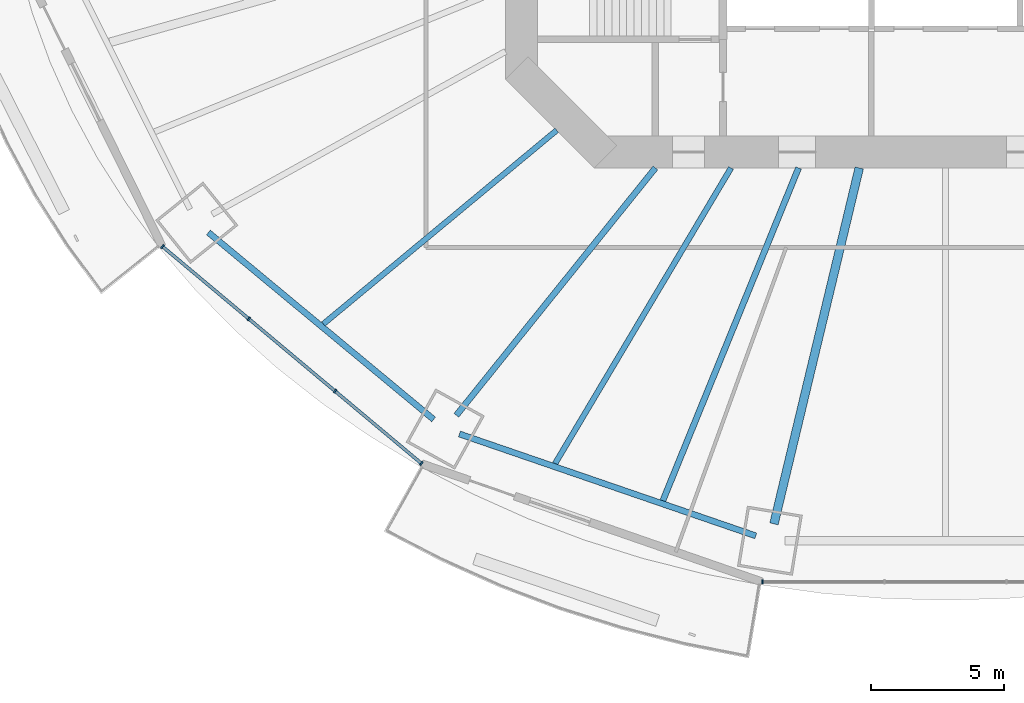
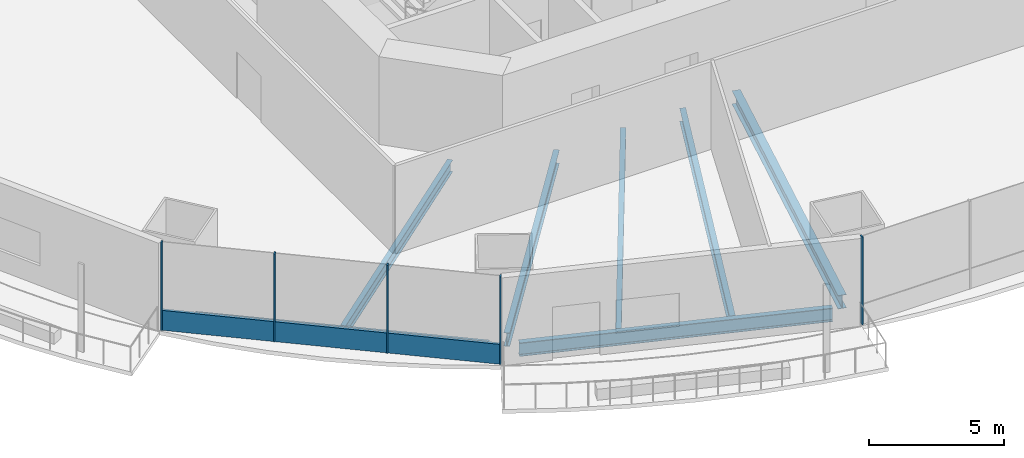
# One storey, part 2 of 22: 7 beams, 6 members, 2 elements without a shape of their own.
"""IFC4 building model written with IfcOpenShell, lengths in metres."""

import ifcopenshell
import ifcopenshell.guid

model = None  # the IFC model being written
_history = None  # IfcOwnerHistory: only IFC2X3 demands one
_inside = {}  # id of a spatial element -> (the spatial element, [elements in it])
_under = {}  # id of a project, library or spatial element -> (it, [spatial elements below it])
_declared = {}  # id of a project -> (the project, [libraries it declares])
_typed = {}  # id of a type object -> (the type object, [elements of that type])
_made_of = {}  # id of a material, layer set ... -> (it, [elements and type objects made of it])


def new_model(schema):
    """Start an empty IFC model of exactly this schema.

    Asked for "IFC4X3", IfcOpenShell would pick the latest addendum, in which some entities
    have other attributes; the version numbers below select the first issue.
    IFC2X3 requires an IfcOwnerHistory on every rooted entity: one is made here for all.
    """
    global model, _history
    if schema == "IFC4X3":
        model = ifcopenshell.file(schema_version=(4, 3, 0, 0))
    else:
        model = ifcopenshell.file(schema=schema)
    _inside.clear()
    _under.clear()
    _declared.clear()
    _typed.clear()
    _made_of.clear()
    _history = None
    if model.schema == "IFC2X3":
        org = make("IfcOrganization", Name="unknown")
        user = make(
            "IfcPersonAndOrganization",
            ThePerson=make("IfcPerson", FamilyName="unknown"),
            TheOrganization=org,
        )
        app = make(
            "IfcApplication",
            ApplicationDeveloper=org,
            Version="unknown",
            ApplicationFullName="unknown",
            ApplicationIdentifier="unknown",
        )
        _history = make(
            "IfcOwnerHistory",
            OwningUser=user,
            OwningApplication=app,
            ChangeAction="ADDED",
            CreationDate=0,
        )
    return model


def make(cls, **values):
    """One entity of the class cls with the attributes given. An attribute that is None is left unset."""
    return model.create_entity(
        cls, **{name: value for name, value in values.items() if value is not None}
    )


def rooted(cls, **values):
    """An entity with a GlobalId (a new one), such as an element, a storey or a relation."""
    return make(cls, GlobalId=ifcopenshell.guid.new(), OwnerHistory=_history, **values)


def si_unit(unit_type, name, prefix=None):
    """IfcSIUnit, for example si_unit("LENGTHUNIT", "METRE", prefix="MILLI")."""
    return make("IfcSIUnit", UnitType=unit_type, Prefix=prefix, Name=name)


def assignment(units):
    """IfcUnitAssignment: the units of a project."""
    return None if units is None else make("IfcUnitAssignment", Units=units)


def point(xyz):
    """IfcCartesianPoint."""
    return None if xyz is None else make("IfcCartesianPoint", Coordinates=xyz)


def direction(xyz):
    """IfcDirection."""
    return None if xyz is None else make("IfcDirection", DirectionRatios=xyz)


def frame(location, z_axis=None, x_axis=None):
    """IfcAxis2Placement3D, a coordinate frame: its origin and axes. An axis left out is left unset."""
    return make(
        "IfcAxis2Placement3D",
        Location=point(location),
        Axis=direction(z_axis),
        RefDirection=direction(x_axis),
    )


def frame_2d(location, x_axis=None):
    """IfcAxis2Placement2D, a coordinate frame in the plane: its origin and x axis."""
    return make(
        "IfcAxis2Placement2D", Location=point(location), RefDirection=direction(x_axis)
    )


def origin():
    """The frame at (0, 0, 0) with its axes left unset."""
    return frame((0.0, 0.0, 0.0))


def origin_2d():
    """The frame at (0, 0) in the plane with its x axis left unset."""
    return frame_2d((0.0, 0.0))


def place(relative_to, where):
    """IfcLocalPlacement: puts the frame where relative to a parent placement (None: the world)."""
    return make(
        "IfcLocalPlacement", PlacementRelTo=relative_to, RelativePlacement=where
    )


def context(
    kind, dimensions, precision=None, world=None, true_north=None, identifier=None
):
    """IfcGeometricRepresentationContext, for example the 3D "Model" context."""
    return make(
        "IfcGeometricRepresentationContext",
        ContextIdentifier=identifier,
        ContextType=kind,
        CoordinateSpaceDimension=dimensions,
        Precision=precision,
        WorldCoordinateSystem=world,
        TrueNorth=true_north,
    )


def subcontext(parent, identifier, kind, view, scale=None):
    """IfcGeometricRepresentationSubContext, for example "Body" below "Model"."""
    return make(
        "IfcGeometricRepresentationSubContext",
        ContextIdentifier=identifier,
        ContextType=kind,
        ParentContext=parent,
        TargetScale=scale,
        TargetView=view,
    )


def project(units=None, contexts=None):
    """IfcProject with its units and contexts."""
    return rooted(
        "IfcProject",
        Name="project",
        RepresentationContexts=contexts,
        UnitsInContext=assignment(units),
    )


def spatial(cls, under=None, at=None, **own):
    """A site, building, storey or space (cls), placed at a placement, below another one or the project."""
    s = rooted(cls, ObjectPlacement=at, **own)
    if under is not None:
        _under.setdefault(under.id(), (under, []))[1].append(s)
    return s


def profile(cls, at=None, kind="AREA", **sizes):
    """A parametric profile (cls). Its sizes go by their IFC names, for example OverallWidth=200.0."""
    return make(cls, ProfileType=kind, Position=at, **sizes)


def rectangle(**sizes):
    """IfcRectangleProfileDef."""
    return profile("IfcRectangleProfileDef", **sizes)


def i_section(**sizes):
    """IfcIShapeProfileDef."""
    return profile("IfcIShapeProfileDef", **sizes)


def extrude(swept, where, along, depth):
    """IfcExtrudedAreaSolid: the profile swept, set in the frame where, extruded along a direction by depth."""
    return make(
        "IfcExtrudedAreaSolid",
        SweptArea=swept,
        Position=where,
        ExtrudedDirection=direction(along),
        Depth=depth,
    )


def shape(context_of_items, identifier, shape_type, items):
    """IfcShapeRepresentation: the items that make up one representation, for example the "Body"."""
    return make(
        "IfcShapeRepresentation",
        ContextOfItems=context_of_items,
        RepresentationIdentifier=identifier,
        RepresentationType=shape_type,
        Items=items,
    )


def material(Name=None, Category=None):
    """IfcMaterial."""
    return make("IfcMaterial", Name=Name, Category=Category)


def material_profile(
    of_material, cross_section, Name=None, Category=None, Priority=None
):
    """IfcMaterialProfile: a cross section and its material."""
    return make(
        "IfcMaterialProfile",
        Name=Name,
        Material=of_material,
        Profile=cross_section,
        Priority=Priority,
        Category=Category,
    )


def profile_set(profiles, Name=None, composite=None):
    """IfcMaterialProfileSet."""
    return make(
        "IfcMaterialProfileSet",
        Name=Name,
        MaterialProfiles=profiles,
        CompositeProfile=composite,
    )


def made_of(thing, what):
    """Note that an element or type object is made of a material, layer set ...; save() writes the relation."""
    if what is not None:
        _made_of.setdefault(what.id(), (what, []))[1].append(thing)
    return thing


def type_object(cls, material=None, **own):
    """A type object (cls), such as IfcWallType, which elements share."""
    return made_of(rooted(cls, **own), material)


def element(
    cls,
    number,
    at=None,
    inside=None,
    cuts=None,
    type_object=None,
    material=None,
    context=None,
    identifier="Body",
    shape_type=None,
    held_by="IfcProductDefinitionShape",
    body=None,
    shapes=None,
    **own,
):
    """One element of the class cls, such as IfcWall. Its Tag is "e" and its number.

    at: its placement. inside: the storey or other place that contains it. cuts: it is an
    opening in that element (IfcRelVoidsElement). A single representation is given by context,
    identifier, shape_type and body (its items); several are given by shapes. held_by: the class
    of the entity that holds the representations. save() writes the other relations.
    """
    e = rooted(cls, Tag="e%d" % number, ObjectPlacement=at, **own)
    if body is not None:
        shapes = [shape(context, identifier, shape_type, body)]
    if shapes is not None:
        e.Representation = make(held_by, Representations=shapes)
    if inside is not None:
        _inside.setdefault(inside.id(), (inside, []))[1].append(e)
    if cuts is not None:
        rooted(
            "IfcRelVoidsElement", RelatingBuildingElement=cuts, RelatedOpeningElement=e
        )
    if type_object is not None:
        _typed.setdefault(type_object.id(), (type_object, []))[1].append(e)
    return made_of(e, material)


def aggregate(whole, parts):
    """IfcRelAggregates: a whole, such as a stair, and the parts it consists of."""
    return rooted("IfcRelAggregates", RelatingObject=whole, RelatedObjects=parts)


def save(model, path):
    """Write the relations noted so far, then the file.

    IfcRelAggregates (storeys below a building ...), IfcRelContainedInSpatialStructure (elements
    in a storey), IfcRelDefinesByType, IfcRelAssociatesMaterial and IfcRelDeclares: one each for
    every whole, place, type object, material and project.
    """
    for whole, parts in _under.values():
        aggregate(whole, parts)
    for where, things in _inside.values():
        rooted(
            "IfcRelContainedInSpatialStructure",
            RelatedElements=things,
            RelatingStructure=where,
        )
    for kind, things in _typed.values():
        rooted("IfcRelDefinesByType", RelatedObjects=things, RelatingType=kind)
    for what, things in _made_of.values():
        rooted("IfcRelAssociatesMaterial", RelatedObjects=things, RelatingMaterial=what)
    for by, libraries in _declared.values():
        rooted("IfcRelDeclares", RelatingContext=by, RelatedDefinitions=libraries)
    model.write(path)


model = new_model("IFC4")

# Units and contexts
model_context = context("Model", 3, precision=1e-05, world=origin(), true_north=direction((0.0, 1.0)))
body_context = subcontext(model_context, "Body", "Model", "MODEL_VIEW")
ifc_project = project(units=[si_unit("LENGTHUNIT", "METRE"), si_unit("AREAUNIT", "SQUARE_METRE"), si_unit("VOLUMEUNIT", "CUBIC_METRE"), si_unit("PLANEANGLEUNIT", "RADIAN"), si_unit("MASSUNIT", "GRAM", prefix="KILO")], contexts=[model_context])

# Site, building, storey
site_placement = place(None, origin())
site = spatial("IfcSite", under=ifc_project, at=site_placement, CompositionType="ELEMENT")
building_placement = place(site_placement, origin())
building = spatial("IfcBuilding", under=site, at=building_placement, Name="Marenthal Gate Tower", CompositionType="ELEMENT")
storey_placement = place(building_placement, frame((0.0, 0.0, 70.35009765625)))
storey = spatial("IfcBuildingStorey", under=building, at=storey_placement, Name="L13", CompositionType="ELEMENT", Elevation=70.35009765625)

# Curtain wall, members
ifc_material_1 = material(Name="Aluminium and glass", Category="aluminium")
curtain_wall_type = type_object("IfcCurtainWallType", Name="Curtain wall typical low", PredefinedType="NOTDEFINED", material=ifc_material_1)
curtain_wall_1_placement = place(storey_placement, origin())
curtain_wall_1 = element("IfcCurtainWall", 1, at=curtain_wall_1_placement, inside=storey, type_object=curtain_wall_type, Name="Curtain wall L13 bay 10", PredefinedType="NOTDEFINED")
ifc_material_2 = material(Name="Aluminium", Category="aluminium")
ifc_material_profile_1 = material_profile(ifc_material_2, rectangle(XDim=0.159912109375, YDim=0.06005859375, at=origin_2d()), Name="60x160 aluminium mullion")
ifc_profile_set_1 = profile_set([ifc_material_profile_1], Name="Aluminium")
member_type_1 = type_object("IfcMemberType", Name="Mullion 60x160 typical low", PredefinedType="MULLION", material=ifc_profile_set_1)
member_1_placement = place(storey_placement, frame((-29.5380859375, -16.56640625, 0.0), z_axis=(0.0, 0.0, 1.0), x_axis=(0.642176178992, 0.76655707885, 0.0)))
member_1 = element("IfcMember", 2, at=member_1_placement, type_object=member_type_1, Name="Mullion L13 bay 10.1", PredefinedType="MULLION", context=body_context, shape_type="SweptSolid", body=[
    extrude(rectangle(XDim=0.159912109375, YDim=0.06005859375, at=origin_2d()), origin(), (0.0, 0.0, 1.0), 3.969970703125),
])
member_2_placement = place(storey_placement, frame((-26.283935546875, -19.292724609375, 0.0), z_axis=(0.0, 0.0, 1.0), x_axis=(0.642176178992, 0.76655707885, 0.0)))
member_2 = element("IfcMember", 3, at=member_2_placement, type_object=member_type_1, Name="Mullion L13 bay 10.2", PredefinedType="MULLION", context=body_context, shape_type="SweptSolid", body=[
    extrude(rectangle(XDim=0.159912109375, YDim=0.06005859375, at=origin_2d()), origin(), (0.0, 0.0, 1.0), 3.969970703125),
])
member_3_placement = place(storey_placement, frame((-23.029541015625, -22.01904296875, 0.0), z_axis=(0.0, 0.0, 1.0), x_axis=(0.642176178992, 0.76655707885, 0.0)))
member_3 = element("IfcMember", 4, at=member_3_placement, type_object=member_type_1, Name="Mullion L13 bay 10.3", PredefinedType="MULLION", context=body_context, shape_type="SweptSolid", body=[
    extrude(rectangle(XDim=0.159912109375, YDim=0.06005859375, at=origin_2d()), origin(), (0.0, 0.0, 1.0), 3.969970703125),
])
member_4_placement = place(storey_placement, frame((-19.775146484375, -24.745361328125, 0.0), z_axis=(0.0, 0.0, 1.0), x_axis=(0.642176178992, 0.76655707885, 0.0)))
member_4 = element("IfcMember", 5, at=member_4_placement, type_object=member_type_1, Name="Mullion L13 bay 10.4", PredefinedType="MULLION", context=body_context, shape_type="SweptSolid", body=[
    extrude(rectangle(XDim=0.159912109375, YDim=0.06005859375, at=origin_2d()), origin(), (0.0, 0.0, 1.0), 3.969970703125),
])

# Curtain wall, member
curtain_wall_2_placement = place(storey_placement, origin())
curtain_wall_2 = element("IfcCurtainWall", 6, at=curtain_wall_2_placement, inside=storey, type_object=curtain_wall_type, Name="Curtain wall L13 bay 12", PredefinedType="NOTDEFINED")
member_5_placement = place(storey_placement, frame((-6.906005859375, -29.211669921875, 0.0), z_axis=(0.0, 0.0, 1.0), x_axis=(0.0, 1.0, 0.0)))
member_5 = element("IfcMember", 7, at=member_5_placement, type_object=member_type_1, Name="Mullion L13 bay 12.1", PredefinedType="MULLION", context=body_context, shape_type="SweptSolid", body=[
    extrude(rectangle(XDim=0.159912109375, YDim=0.06005859375, at=origin_2d()), origin(), (0.0, 0.0, 1.0), 3.969970703125),
])
aggregate(curtain_wall_2, [member_5])

# Member
ifc_material_3 = material(Name="Aluminium", Category="aluminium")
ifc_material_profile_2 = material_profile(ifc_material_3, rectangle(XDim=0.1201171875, YDim=0.89990234375, at=origin_2d()), Name="120x900 aluminium transom")
ifc_profile_set_2 = profile_set([ifc_material_profile_2], Name="Aluminium")
member_type_2 = type_object("IfcMemberType", Name="Transom 120x900 typical low", PredefinedType="USERDEFINED", material=ifc_profile_set_2)
member_6_placement = place(storey_placement, frame((-29.51513671875, -16.585693359375, 0.449951171875), z_axis=(0.766556354324, -0.642177043849, 0.0), x_axis=(0.642177043849, 0.766556354324, 0.0)))
member_6 = element("IfcMember", 8, at=member_6_placement, type_object=member_type_2, Name="Transom L13 bay 10", ObjectType="TRANSOM", PredefinedType="USERDEFINED", context=body_context, shape_type="SweptSolid", body=[
    extrude(rectangle(XDim=0.1201171875, YDim=0.89990234375, at=origin_2d()), origin(), (0.0, 0.0, 1.0), 12.67626953125),
])

aggregate(curtain_wall_1, [member_1, member_2, member_3, member_4, member_6])

# Beams
ifc_material_4 = material(Name="Steel S355", Category="steel")
ifc_material_profile_3 = material_profile(ifc_material_4, i_section(OverallWidth=0.2099609375, OverallDepth=0.535888671875, WebThickness=0.010986328125, FlangeThickness=0.017333984375, FilletRadius=0.0126953125, at=origin_2d()), Name="W530X101")
ifc_profile_set_3 = profile_set([ifc_material_profile_3], Name="Steel S355")
beam_type_1 = type_object("IfcBeamType", Name="W530X101 beam", PredefinedType="BEAM", material=ifc_profile_set_3)
beam_1_placement = place(storey_placement, frame((-23.47119140625, -19.485595703125, -0.447998046875), z_axis=(0.769402561639, 0.638764196041, 0.0), x_axis=(-0.638764196041, 0.769402561639, 0.0)))
element("IfcBeam", 9, at=beam_1_placement, inside=storey, type_object=beam_type_1, Name="BM-L13-31", PredefinedType="BEAM", context=body_context, shape_type="SweptSolid", body=[
    extrude(i_section(OverallWidth=0.2099609375, OverallDepth=0.535888671875, WebThickness=0.010986328125, FlangeThickness=0.017333984375, FilletRadius=0.0126953125, at=origin_2d()), origin(), (0.0, 0.0, 1.0), 11.439208984375),
])
ifc_material_5 = material(Name="Steel S355", Category="steel")
ifc_material_profile_4 = material_profile(ifc_material_5, i_section(OverallWidth=0.2119140625, OverallDepth=0.5439453125, WebThickness=0.01318359375, FlangeThickness=0.021240234375, FilletRadius=0.0126953125, at=origin_2d()), Name="W530X123")
ifc_profile_set_4 = profile_set([ifc_material_profile_4], Name="Steel S355")
beam_type_2 = type_object("IfcBeamType", Name="W530X123 beam", PredefinedType="BEAM", material=ifc_profile_set_4)
beam_2_placement = place(storey_placement, frame((-14.732421875, -24.754150390625, -0.4521484375), z_axis=(0.511433266122, 0.859322997658, 0.0), x_axis=(-0.859322997658, 0.511433266122, 0.0)))
element("IfcBeam", 10, at=beam_2_placement, inside=storey, type_object=beam_type_2, Name="BM-L13-32", PredefinedType="BEAM", context=body_context, shape_type="SweptSolid", body=[
    extrude(i_section(OverallWidth=0.2119140625, OverallDepth=0.5439453125, WebThickness=0.01318359375, FlangeThickness=0.021240234375, FilletRadius=0.0126953125, at=origin_2d()), origin(), (0.0, 0.0, 1.0), 12.97998046875),
])
ifc_material_6 = material(Name="Steel S355", Category="steel")
ifc_material_profile_5 = material_profile(ifc_material_6, i_section(OverallWidth=0.22900390625, OverallDepth=0.612060546875, WebThickness=0.011962890625, FlangeThickness=0.01953125, FilletRadius=0.0126953125, at=origin_2d()), Name="W610X125")
ifc_profile_set_5 = profile_set([ifc_material_profile_5], Name="Steel S355")
beam_type_3 = type_object("IfcBeamType", Name="W610X125 beam", PredefinedType="BEAM", material=ifc_profile_set_5)
beam_3_placement = place(storey_placement, frame((-18.456298828125, -22.93115234375, -0.486083984375), z_axis=(0.62700397479, 0.779016056059, 0.0), x_axis=(-0.779016056059, 0.62700397479, 0.0)))
element("IfcBeam", 11, at=beam_3_placement, inside=storey, type_object=beam_type_3, Name="BM-L13-11", PredefinedType="BEAM", context=body_context, shape_type="SweptSolid", body=[
    extrude(i_section(OverallWidth=0.22900390625, OverallDepth=0.612060546875, WebThickness=0.011962890625, FlangeThickness=0.01953125, FilletRadius=0.0126953125, at=origin_2d()), origin(), (0.0, 0.0, 1.0), 11.97802734375),
])
beam_4_placement = place(storey_placement, frame((-10.666748046875, -26.152099609375, -0.486083984375), z_axis=(0.377666991807, 0.925941490214, 0.0), x_axis=(-0.925941490214, 0.377666991807, 0.0)))
element("IfcBeam", 12, at=beam_4_placement, inside=storey, type_object=beam_type_3, Name="BM-L13-33", PredefinedType="BEAM", context=body_context, shape_type="SweptSolid", body=[
    extrude(i_section(OverallWidth=0.22900390625, OverallDepth=0.612060546875, WebThickness=0.011962890625, FlangeThickness=0.01953125, FilletRadius=0.0126953125, at=origin_2d()), origin(), (0.0, 0.0, 1.0), 13.555908203125),
])
beam_5_placement = place(storey_placement, frame((-27.807861328125, -16.0341796875, -0.486083984375), z_axis=(0.769405168871, -0.638761055571, 0.0), x_axis=(0.638761055571, 0.769405168871, 0.0)))
element("IfcBeam", 13, at=beam_5_placement, inside=storey, type_object=beam_type_3, Name="BM-L13-50", PredefinedType="BEAM", context=body_context, shape_type="SweptSolid", body=[
    extrude(i_section(OverallWidth=0.22900390625, OverallDepth=0.612060546875, WebThickness=0.011962890625, FlangeThickness=0.01953125, FilletRadius=0.0126953125, at=origin_2d()), origin(), (0.0, 0.0, 1.0), 11.04248046875),
])
beam_6_placement = place(storey_placement, frame((-18.3388671875, -23.635009765625, -0.486083984375), z_axis=(0.94564769726, -0.325192916076, 0.0), x_axis=(0.325192916076, 0.94564769726, 0.0)))
element("IfcBeam", 14, at=beam_6_placement, inside=storey, type_object=beam_type_3, Name="BM-L13-51", PredefinedType="BEAM", context=body_context, shape_type="SweptSolid", body=[
    extrude(i_section(OverallWidth=0.22900390625, OverallDepth=0.612060546875, WebThickness=0.011962890625, FlangeThickness=0.01953125, FilletRadius=0.0126953125, at=origin_2d()), origin(), (0.0, 0.0, 1.0), 11.819091796875),
])
ifc_material_7 = material(Name="Steel S355", Category="steel")
ifc_material_profile_6 = material_profile(ifc_material_7, i_section(OverallWidth=0.324951171875, OverallDepth=0.612060546875, WebThickness=0.0126953125, FlangeThickness=0.01904296875, FilletRadius=0.0126953125, at=origin_2d()), Name="W610X155")
ifc_profile_set_6 = profile_set([ifc_material_profile_6], Name="Steel S355")
beam_type_4 = type_object("IfcBeamType", Name="W610X155 beam", PredefinedType="BEAM", material=ifc_profile_set_6)
beam_7_placement = place(storey_placement, frame((-6.4755859375, -27.027099609375, -0.486083984375), z_axis=(0.233000428797, 0.972476632203, 0.0), x_axis=(-0.972476632203, 0.233000428797, 0.0)))
element("IfcBeam", 15, at=beam_7_placement, inside=storey, type_object=beam_type_4, Name="BM-L13-12", PredefinedType="BEAM", context=body_context, shape_type="SweptSolid", body=[
    extrude(i_section(OverallWidth=0.324951171875, OverallDepth=0.612060546875, WebThickness=0.0126953125, FlangeThickness=0.01904296875, FilletRadius=0.0126953125, at=origin_2d()), origin(), (0.0, 0.0, 1.0), 13.80712890625),
])

save(model, "model.ifc")
